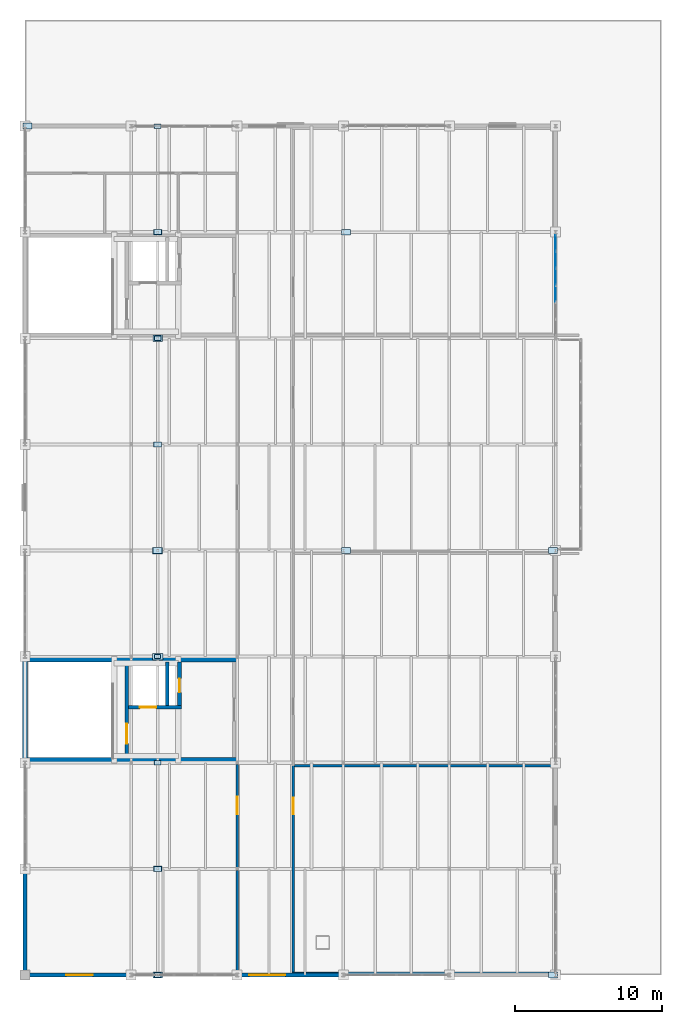
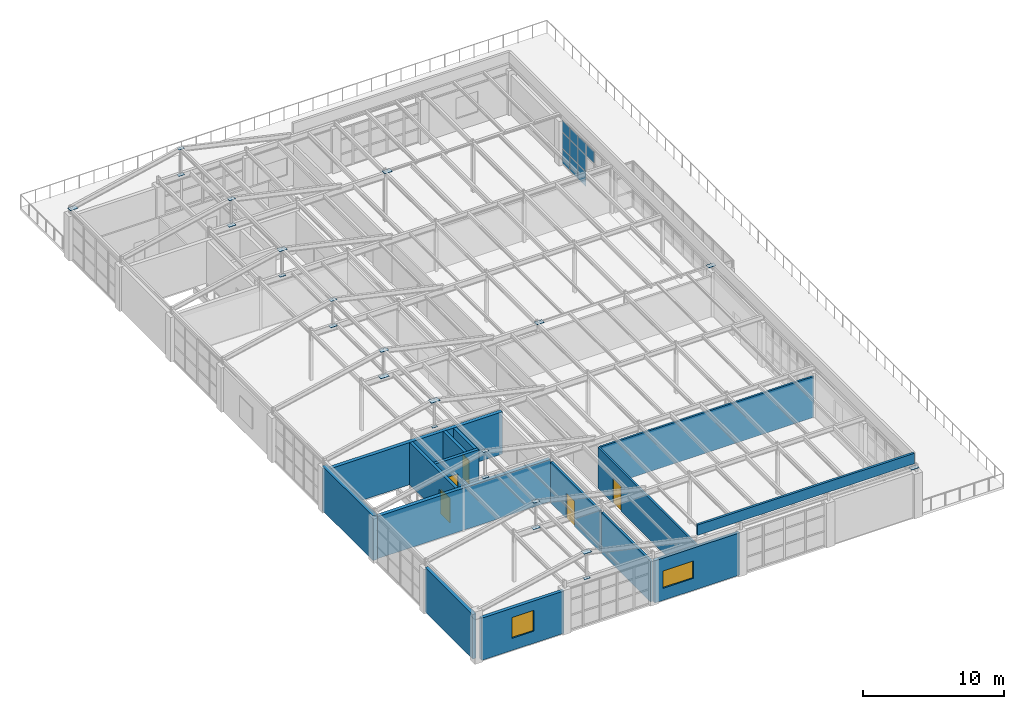
# One storey, part 39 of 43: 33 plates, 15 walls, 5 doors, 2 windows, 7 openings, 1 element without a shape of its own.
"""IFC4 building model written with IfcOpenShell, lengths in metres."""

from ifc_helpers import new_model, si_unit, direction, frame, frame_2d, origin, origin_2d, place, context, subcontext, project, spatial, rectangle, extrude, material, layer, layer_set, type_object, element, fill, aggregate, save


model = new_model("IFC4")

# Units and contexts
model_context = context("Model", 3, precision=1e-05, world=origin(), true_north=direction((0.0, 1.0)))
body_context = subcontext(model_context, "Body", "Model", "MODEL_VIEW")
ifc_project = project(units=[si_unit("LENGTHUNIT", "METRE"), si_unit("AREAUNIT", "SQUARE_METRE"), si_unit("VOLUMEUNIT", "CUBIC_METRE"), si_unit("PLANEANGLEUNIT", "RADIAN"), si_unit("MASSUNIT", "GRAM", prefix="KILO")], contexts=[model_context])

# Site, building, storey
site_placement = place(None, origin())
site = spatial("IfcSite", under=ifc_project, at=site_placement, CompositionType="ELEMENT")
building_placement = place(site_placement, origin())
building = spatial("IfcBuilding", under=site, at=building_placement, Name="Kemerveld Promenade Tramway Depot", CompositionType="ELEMENT")
storey_placement = place(building_placement, frame((0.0, 0.0, 18.89990234375)))
storey = spatial("IfcBuildingStorey", under=building, at=storey_placement, Name="L04", CompositionType="ELEMENT", Elevation=18.89990234375)

# Curtain wall, plates
ifc_material_1 = material(Name="Bronze anodised aluminium and solar glass", Category="aluminium")
ifc_layer_1 = layer(ifc_material_1, 0.199951171875)
ifc_layer_set_1 = layer_set([ifc_layer_1], Name="CW-SYS-06")
curtain_wall_type = type_object("IfcCurtainWallType", Name="CW-SYS-06", PredefinedType="USERDEFINED", material=ifc_layer_set_1)
curtain_wall_placement = place(storey_placement, origin())
curtain_wall = element("IfcCurtainWall", 1, at=curtain_wall_placement, inside=storey, type_object=curtain_wall_type, Name="CW-L04-V5EN-02", ObjectType="GLAZED_CURTAIN_WALL", PredefinedType="USERDEFINED")
ifc_material_2 = material(Name="Solar-control laminated double glazing", Category="glass")
ifc_layer_2 = layer(ifc_material_2, 0.02587890625)
ifc_layer_set_2 = layer_set([ifc_layer_2], Name="CW-PNL-06")
plate_type_1 = type_object("IfcPlateType", Name="CW-PNL-06", PredefinedType="CURTAIN_PANEL", material=ifc_layer_set_2)
plate_1_placement = place(storey_placement, frame((36.0, 49.67724609375, 0.065185546875), z_axis=(0.0, 0.0, 1.0), x_axis=(0.0, -1.0, 0.0)))
plate_1 = element("IfcPlate", 2, at=plate_1_placement, type_object=plate_type_1, Name="CW06 panel 1.1", PredefinedType="CURTAIN_PANEL", context=body_context, shape_type="SweptSolid", body=[
    extrude(rectangle(XDim=1.0458984375, YDim=0.02587890625, at=origin_2d()), origin(), (0.0, 0.0, 1.0), 1.24951171875),
])
plate_2_placement = place(storey_placement, frame((36.0, 49.67724609375, 1.37939453125), z_axis=(0.0, 0.0, 1.0), x_axis=(0.0, -1.0, 0.0)))
plate_2 = element("IfcPlate", 3, at=plate_2_placement, type_object=plate_type_1, Name="CW06 panel 1.2", PredefinedType="CURTAIN_PANEL", context=body_context, shape_type="SweptSolid", body=[
    extrude(rectangle(XDim=1.0458984375, YDim=0.02587890625, at=origin_2d()), origin(), (0.0, 0.0, 1.0), 1.360107421875),
])
plate_3_placement = place(storey_placement, frame((36.0, 49.67724609375, 2.8046875), z_axis=(0.0, 0.0, 1.0), x_axis=(0.0, -1.0, 0.0)))
plate_3 = element("IfcPlate", 4, at=plate_3_placement, type_object=plate_type_1, Name="CW06 panel 1.3", PredefinedType="CURTAIN_PANEL", context=body_context, shape_type="SweptSolid", body=[
    extrude(rectangle(XDim=1.0458984375, YDim=0.02587890625, at=origin_2d()), origin(), (0.0, 0.0, 1.0), 0.98046875),
])
plate_4_placement = place(storey_placement, frame((36.0, 48.53759765625, 0.065185546875), z_axis=(0.0, 0.0, 1.0), x_axis=(0.0, -1.0, 0.0)))
plate_4 = element("IfcPlate", 5, at=plate_4_placement, type_object=plate_type_1, Name="CW06 panel 2.1", PredefinedType="CURTAIN_PANEL", context=body_context, shape_type="SweptSolid", body=[
    extrude(rectangle(XDim=1.08349609375, YDim=0.02587890625, at=origin_2d()), origin(), (0.0, 0.0, 1.0), 1.24951171875),
])
plate_5_placement = place(storey_placement, frame((36.0, 48.53759765625, 1.37939453125), z_axis=(0.0, 0.0, 1.0), x_axis=(0.0, -1.0, 0.0)))
plate_5 = element("IfcPlate", 6, at=plate_5_placement, type_object=plate_type_1, Name="CW06 panel 2.2", PredefinedType="CURTAIN_PANEL", context=body_context, shape_type="SweptSolid", body=[
    extrude(rectangle(XDim=1.08349609375, YDim=0.02587890625, at=origin_2d()), origin(), (0.0, 0.0, 1.0), 1.360107421875),
])
plate_6_placement = place(storey_placement, frame((36.0, 48.53759765625, 2.8046875), z_axis=(0.0, 0.0, 1.0), x_axis=(0.0, -1.0, 0.0)))
plate_6 = element("IfcPlate", 7, at=plate_6_placement, type_object=plate_type_1, Name="CW06 panel 2.3", PredefinedType="CURTAIN_PANEL", context=body_context, shape_type="SweptSolid", body=[
    extrude(rectangle(XDim=1.08349609375, YDim=0.02587890625, at=origin_2d()), origin(), (0.0, 0.0, 1.0), 0.98046875),
])
plate_7_placement = place(storey_placement, frame((36.0, 47.379150390625, 0.065185546875), z_axis=(0.0, 0.0, 1.0), x_axis=(0.0, -1.0, 0.0)))
plate_7 = element("IfcPlate", 8, at=plate_7_placement, type_object=plate_type_1, Name="CW06 panel 3.1", PredefinedType="CURTAIN_PANEL", context=body_context, shape_type="SweptSolid", body=[
    extrude(rectangle(XDim=1.08349609375, YDim=0.02587890625, at=origin_2d()), origin(), (0.0, 0.0, 1.0), 1.24951171875),
])
plate_8_placement = place(storey_placement, frame((36.0, 47.379150390625, 1.37939453125), z_axis=(0.0, 0.0, 1.0), x_axis=(0.0, -1.0, 0.0)))
plate_8 = element("IfcPlate", 9, at=plate_8_placement, type_object=plate_type_1, Name="CW06 panel 3.2", PredefinedType="CURTAIN_PANEL", context=body_context, shape_type="SweptSolid", body=[
    extrude(rectangle(XDim=1.08349609375, YDim=0.02587890625, at=origin_2d()), origin(), (0.0, 0.0, 1.0), 1.360107421875),
])
plate_9_placement = place(storey_placement, frame((36.0, 47.379150390625, 2.8046875), z_axis=(0.0, 0.0, 1.0), x_axis=(0.0, -1.0, 0.0)))
plate_9 = element("IfcPlate", 10, at=plate_9_placement, type_object=plate_type_1, Name="CW06 panel 3.3", PredefinedType="CURTAIN_PANEL", context=body_context, shape_type="SweptSolid", body=[
    extrude(rectangle(XDim=1.08349609375, YDim=0.02587890625, at=origin_2d()), origin(), (0.0, 0.0, 1.0), 0.98046875),
])
plate_10_placement = place(storey_placement, frame((36.0, 46.220703125, 2.8046875), z_axis=(0.0, 0.0, 1.0), x_axis=(0.0, -1.0, 0.0)))
plate_10 = element("IfcPlate", 11, at=plate_10_placement, type_object=plate_type_1, Name="CW06 panel 4.3", PredefinedType="CURTAIN_PANEL", context=body_context, shape_type="SweptSolid", body=[
    extrude(rectangle(XDim=1.08349609375, YDim=0.02587890625, at=origin_2d()), origin(), (0.0, 0.0, 1.0), 0.98046875),
])
aggregate(curtain_wall, [plate_1, plate_2, plate_3, plate_4, plate_5, plate_6, plate_7, plate_8, plate_9, plate_10])

# Plates
ifc_material_3 = material(Name="Steel S355", Category="steel")
ifc_layer_3 = layer(ifc_material_3, 0.02490234375)
ifc_layer_set_3 = layer_set([ifc_layer_3], Name="PL-GS01")
plate_type_2 = type_object("IfcPlateType", Name="PL-GS01", PredefinedType="USERDEFINED", material=ifc_layer_set_3)
for number, where, z_axis, x_axis, name in (
    (12, (9.0, 0.0, 6.302978515625), (0.0, 0.0, 1.0), (1.0, 0.0, 0.0), "GP-NODE-0040"),
    (13, (9.0, 43.199951171875, 6.302978515625), (0.0, 0.0, 1.0), (1.0, 0.0, 0.0), "GP-NODE-0052"),
):
    element("IfcPlate", number, at=place(storey_placement, frame(where, z_axis=z_axis, x_axis=x_axis)), inside=storey, type_object=plate_type_2, Name=name, ObjectType="GUSSET_PLATE", PredefinedType="USERDEFINED", context=body_context, shape_type="SweptSolid", body=[
        extrude(rectangle(XDim=0.64990234375, YDim=0.419921875, at=origin_2d()), origin(), (0.0, 0.0, 1.0), 0.02490234375),
    ])
ifc_layer_4 = layer(ifc_material_3, 0.02490234375)
ifc_layer_set_4 = layer_set([ifc_layer_4], Name="PL-GS02")
plate_type_3 = type_object("IfcPlateType", Name="PL-GS02", PredefinedType="USERDEFINED", material=ifc_layer_set_4)
for number, where, z_axis, x_axis, name in (
    (14, (9.0, 7.199951171875, 4.03759765625), (0.0, 0.0, 1.0), (1.0, 0.0, 0.0), "GP-NODE-0041"),
    (15, (9.0, 50.39990234375, 4.03759765625), (0.0, 0.0, 1.0), (1.0, 0.0, 0.0), "GP-NODE-0053"),
):
    element("IfcPlate", number, at=place(storey_placement, frame(where, z_axis=z_axis, x_axis=x_axis)), inside=storey, type_object=plate_type_3, Name=name, ObjectType="GUSSET_PLATE", PredefinedType="USERDEFINED", context=body_context, shape_type="SweptSolid", body=[
        extrude(rectangle(XDim=0.580078125, YDim=0.3798828125, at=origin_2d()), origin(), (0.0, 0.0, 1.0), 0.02490234375),
    ])
ifc_layer_5 = layer(ifc_material_3, 0.02001953125)
ifc_layer_set_5 = layer_set([ifc_layer_5], Name="PL-GS03")
plate_type_4 = type_object("IfcPlateType", Name="PL-GS03", PredefinedType="USERDEFINED", material=ifc_layer_set_5)
for number, where, z_axis, x_axis, name in (
    (16, (9.0, 7.199951171875, 6.305419921875), (0.0, 0.0, 1.0), (1.0, 0.0, 0.0), "GP-NODE-0042"),
    (17, (9.0, 50.39990234375, 6.305419921875), (0.0, 0.0, 1.0), (1.0, 0.0, 0.0), "GP-NODE-0054"),
):
    element("IfcPlate", number, at=place(storey_placement, frame(where, z_axis=z_axis, x_axis=x_axis)), inside=storey, type_object=plate_type_4, Name=name, ObjectType="GUSSET_PLATE", PredefinedType="USERDEFINED", context=body_context, shape_type="SweptSolid", body=[
        extrude(rectangle(XDim=0.52001953125, YDim=0.340087890625, at=origin_2d()), origin(), (0.0, 0.0, 1.0), 0.02001953125),
    ])
ifc_layer_6 = layer(ifc_material_3, 0.02001953125)
ifc_layer_set_6 = layer_set([ifc_layer_6], Name="PL-GS04")
plate_type_5 = type_object("IfcPlateType", Name="PL-GS04", PredefinedType="USERDEFINED", material=ifc_layer_set_6)
for number, where, z_axis, x_axis, name in (
    (18, (9.0, 14.39990234375, 4.0400390625), (0.0, 0.0, 1.0), (1.0, 0.0, 0.0), "GP-NODE-0043"),
    (19, (9.0, 57.60009765625, 4.0400390625), (0.0, 0.0, 1.0), (1.0, 0.0, 0.0), "GP-NODE-0055"),
):
    element("IfcPlate", number, at=place(storey_placement, frame(where, z_axis=z_axis, x_axis=x_axis)), inside=storey, type_object=plate_type_5, Name=name, ObjectType="GUSSET_PLATE", PredefinedType="USERDEFINED", context=body_context, shape_type="SweptSolid", body=[
        extrude(rectangle(XDim=0.47998046875, YDim=0.320068359375, at=origin_2d()), origin(), (0.0, 0.0, 1.0), 0.02001953125),
    ])
ifc_layer_7 = layer(ifc_material_3, 0.02001953125)
ifc_layer_set_7 = layer_set([ifc_layer_7], Name="PL-GS05")
plate_type_6 = type_object("IfcPlateType", Name="PL-GS05", PredefinedType="USERDEFINED", material=ifc_layer_set_7)
for number, where, z_axis, x_axis, name in (
    (20, (9.0, 14.39990234375, 6.305419921875), (0.0, 0.0, 1.0), (1.0, 0.0, 0.0), "GP-NODE-0044"),
    (21, (9.0, 57.60009765625, 6.305419921875), (0.0, 0.0, 1.0), (1.0, 0.0, 0.0), "GP-NODE-0056"),
):
    element("IfcPlate", number, at=place(storey_placement, frame(where, z_axis=z_axis, x_axis=x_axis)), inside=storey, type_object=plate_type_6, Name=name, ObjectType="GUSSET_PLATE", PredefinedType="USERDEFINED", context=body_context, shape_type="SweptSolid", body=[
        extrude(rectangle(XDim=0.43994140625, YDim=0.300048828125, at=origin_2d()), origin(), (0.0, 0.0, 1.0), 0.02001953125),
    ])
ifc_layer_8 = layer(ifc_material_3, 0.01806640625)
ifc_layer_set_8 = layer_set([ifc_layer_8], Name="PL-GS06")
plate_type_7 = type_object("IfcPlateType", Name="PL-GS06", PredefinedType="USERDEFINED", material=ifc_layer_set_8)
plate_11_placement = place(storey_placement, frame((9.0, 21.60009765625, 4.041015625), z_axis=(0.0, 0.0, 1.0), x_axis=(1.0, 0.0, 0.0)))
element("IfcPlate", 22, at=plate_11_placement, inside=storey, type_object=plate_type_7, Name="GP-NODE-0045", ObjectType="GUSSET_PLATE", PredefinedType="USERDEFINED", context=body_context, shape_type="SweptSolid", body=[
    extrude(rectangle(XDim=0.39990234375, YDim=0.280029296875, at=origin_2d()), origin(), (0.0, 0.0, 1.0), 0.01806640625),
])
ifc_layer_9 = layer(ifc_material_3, 0.028076171875)
ifc_layer_set_9 = layer_set([ifc_layer_9], Name="PL-GS07")
plate_type_8 = type_object("IfcPlateType", Name="PL-GS07", PredefinedType="USERDEFINED", material=ifc_layer_set_9)
plate_12_placement = place(storey_placement, frame((9.0, 21.60009765625, 6.30126953125), z_axis=(0.0, 0.0, 1.0), x_axis=(1.0, 0.0, 0.0)))
element("IfcPlate", 23, at=plate_12_placement, inside=storey, type_object=plate_type_8, Name="GP-NODE-0046", ObjectType="GUSSET_PLATE", PredefinedType="USERDEFINED", context=body_context, shape_type="SweptSolid", body=[
    extrude(rectangle(XDim=0.719970703125, YDim=0.4599609375, at=origin_2d()), origin(), (0.0, 0.0, 1.0), 0.028076171875),
])
ifc_layer_10 = layer(ifc_material_3, 0.02587890625)
ifc_layer_set_10 = layer_set([ifc_layer_10], Name="PL-GS08")
plate_type_9 = type_object("IfcPlateType", Name="PL-GS08", PredefinedType="USERDEFINED", material=ifc_layer_set_10)
plate_13_placement = place(storey_placement, frame((9.0, 28.800048828125, 4.037109375), z_axis=(0.0, 0.0, 1.0), x_axis=(1.0, 0.0, 0.0)))
element("IfcPlate", 24, at=plate_13_placement, inside=storey, type_object=plate_type_9, Name="GP-NODE-0047", ObjectType="GUSSET_PLATE", PredefinedType="USERDEFINED", context=body_context, shape_type="SweptSolid", body=[
    extrude(rectangle(XDim=0.679931640625, YDim=0.43994140625, at=origin_2d()), origin(), (0.0, 0.0, 1.0), 0.02587890625),
])
ifc_layer_11 = layer(ifc_material_3, 0.02392578125)
ifc_layer_set_11 = layer_set([ifc_layer_11], Name="PL-GS09")
plate_type_10 = type_object("IfcPlateType", Name="PL-GS09", PredefinedType="USERDEFINED", material=ifc_layer_set_11)
for number, where, z_axis, x_axis, name in (
    (25, (9.0, 28.800048828125, 6.303466796875), (0.0, 0.0, 1.0), (1.0, 0.0, 0.0), "GP-NODE-0048"),
    (26, (35.830078125, 0.0, 4.18310546875), (0.0, 0.0, 1.0), (1.0, 0.0, 0.0), "CAP-L04-A"),
    (27, (35.830078125, 28.800048828125, 4.233154296875), (0.0, 0.0, 1.0), (1.0, 0.0, 0.0), "CAP-L04-E"),
    (28, (0.169921875, 57.60009765625, 4.208251953125), (0.0, 0.0, 1.0), (1.0, 0.0, 0.0), "CAP-L04-J"),
    (29, (21.77001953125, 28.800048828125, 4.233154296875), (0.0, 0.0, 1.0), (1.0, 0.0, 0.0), "CAP-L04-4E"),
    (30, (21.77001953125, 50.39990234375, 4.208251953125), (0.0, 0.0, 1.0), (1.0, 0.0, 0.0), "CAP-L04-4H"),
):
    element("IfcPlate", number, at=place(storey_placement, frame(where, z_axis=z_axis, x_axis=x_axis)), inside=storey, type_object=plate_type_10, Name=name, ObjectType="GUSSET_PLATE", PredefinedType="USERDEFINED", context=body_context, shape_type="SweptSolid", body=[
        extrude(rectangle(XDim=0.6201171875, YDim=0.39990234375, at=origin_2d()), origin(), (0.0, 0.0, 1.0), 0.02392578125),
    ])
ifc_layer_12 = layer(ifc_material_3, 0.02197265625)
ifc_layer_set_12 = layer_set([ifc_layer_12], Name="PL-GS10")
plate_type_11 = type_object("IfcPlateType", Name="PL-GS10", PredefinedType="USERDEFINED", material=ifc_layer_set_12)
plate_14_placement = place(storey_placement, frame((9.0, 36.0, 4.0390625), z_axis=(0.0, 0.0, 1.0), x_axis=(1.0, 0.0, 0.0)))
element("IfcPlate", 31, at=plate_14_placement, inside=storey, type_object=plate_type_11, Name="GP-NODE-0049", ObjectType="GUSSET_PLATE", PredefinedType="USERDEFINED", context=body_context, shape_type="SweptSolid", body=[
    extrude(rectangle(XDim=0.550048828125, YDim=0.360107421875, at=origin_2d()), origin(), (0.0, 0.0, 1.0), 0.02197265625),
])
ifc_layer_13 = layer(ifc_material_3, 0.02001953125)
ifc_layer_set_13 = layer_set([ifc_layer_13], Name="PL-GS11")
plate_type_12 = type_object("IfcPlateType", Name="PL-GS11", PredefinedType="USERDEFINED", material=ifc_layer_set_13)
plate_15_placement = place(storey_placement, frame((9.0, 36.0, 6.305419921875), z_axis=(0.0, 0.0, 1.0), x_axis=(1.0, 0.0, 0.0)))
element("IfcPlate", 32, at=plate_15_placement, inside=storey, type_object=plate_type_12, Name="GP-NODE-0050", ObjectType="GUSSET_PLATE", PredefinedType="USERDEFINED", context=body_context, shape_type="SweptSolid", body=[
    extrude(rectangle(XDim=0.5, YDim=0.330078125, at=origin_2d()), origin(), (0.0, 0.0, 1.0), 0.02001953125),
])
ifc_layer_14 = layer(ifc_material_3, 0.01806640625)
ifc_layer_set_14 = layer_set([ifc_layer_14], Name="PL-GS12")
plate_type_13 = type_object("IfcPlateType", Name="PL-GS12", PredefinedType="USERDEFINED", material=ifc_layer_set_14)
for number, where, z_axis, x_axis, name in (
    (33, (9.0, 0.0, 4.041015625), (0.0, 0.0, 1.0), (1.0, 0.0, 0.0), "GP-NODE-0039"),
    (34, (9.0, 43.199951171875, 4.041015625), (0.0, 0.0, 1.0), (1.0, 0.0, 0.0), "GP-NODE-0051"),
):
    element("IfcPlate", number, at=place(storey_placement, frame(where, z_axis=z_axis, x_axis=x_axis)), inside=storey, type_object=plate_type_13, Name=name, ObjectType="GUSSET_PLATE", PredefinedType="USERDEFINED", context=body_context, shape_type="SweptSolid", body=[
        extrude(rectangle(XDim=0.4599609375, YDim=0.31005859375, at=origin_2d()), origin(), (0.0, 0.0, 1.0), 0.01806640625),
    ])

# Wall, opening, door
ifc_material_4 = material(Name="Concrete C40/50", Category="concrete")
ifc_layer_15 = layer(ifc_material_4, 0.25)
ifc_layer_set_15 = layer_set([ifc_layer_15], Name="WL-CORE-250")
wall_type_1 = type_object("IfcWallType", Name="WL-CORE-250", PredefinedType="SHEAR", material=ifc_layer_set_15)
wall_1_placement = place(storey_placement, frame((6.89990234375, 14.75, 0.0), z_axis=(0.0, 0.0, 1.0), x_axis=(0.0, 1.0, 0.0)))
wall_1 = element("IfcWall", 35, at=wall_1_placement, inside=storey, type_object=wall_type_1, Name="WL-C1-L04-SDIV", PredefinedType="SHEAR", context=body_context, shape_type="SweptSolid", body=[
    extrude(rectangle(XDim=6.5, YDim=0.25, at=frame_2d((3.25, 0.0))), origin(), (0.0, 0.0, 1.0), 3.650146484375),
])
opening_1_placement = place(wall_1_placement, frame((0.949951171875, 0.0, 0.0)))
opening_1 = element("IfcOpeningElement", 36, at=opening_1_placement, cuts=wall_1, Name="Opening D-517", PredefinedType="OPENING", context=body_context, shape_type="SweptSolid", body=[
    extrude(rectangle(XDim=1.35009765625, YDim=2.14990234375, at=frame_2d((0.675048828125, 1.074951171875))), frame((0.0, 0.135009765625, 0.0), z_axis=(0.0, -1.0, 0.0), x_axis=(1.0, 0.0, 0.0)), (0.0, 0.0, 1.0), 0.27001953125),
])
ifc_material_5 = material(Name="Galvanised steel fire stair door", Category="steel")
door_type_1 = type_object("IfcDoorType", Name="DR-FD120", OperationType="NOTDEFINED", PredefinedType="DOOR", material=ifc_material_5)
door_1_placement = place(opening_1_placement, origin())
door_1 = element("IfcDoor", 37, at=door_1_placement, inside=storey, type_object=door_type_1, Name="DR-C1-L04-STAIR", OperationType="SINGLE_SWING_RIGHT", OverallHeight=2.14990234375, OverallWidth=1.35009765625, PredefinedType="DOOR", context=body_context, shape_type="SweptSolid", body=[
    extrude(rectangle(XDim=1.35009765625, YDim=2.14990234375, at=frame_2d((0.675048828125, 1.074951171875))), frame((0.0, 0.02490234375, 0.0), z_axis=(0.0, -1.0, 0.0), x_axis=(1.0, 0.0, 0.0)), (0.0, 0.0, 1.0), 0.050048828125),
])
fill(opening_1, door_1)

wall_2_placement = place(storey_placement, frame((7.02490234375, 18.159912109375, 0.0), z_axis=(0.0, 0.0, 1.0), x_axis=(1.0, 0.0, 0.0)))
wall_2 = element("IfcWall", 38, at=wall_2_placement, inside=storey, type_object=wall_type_1, Name="WL-C1-L04-LSHS", PredefinedType="SHEAR", context=body_context, shape_type="SweptSolid", body=[
    extrude(rectangle(XDim=3.580078125, YDim=0.25, at=frame_2d((1.7900390625, 0.0))), origin(), (0.0, 0.0, 1.0), 3.650146484375),
])
opening_2_placement = place(wall_2_placement, frame((0.77490234375, 0.0, 0.0)))
opening_2 = element("IfcOpeningElement", 39, at=opening_2_placement, cuts=wall_2, Name="Opening LD-518", PredefinedType="OPENING", context=body_context, shape_type="SweptSolid", body=[
    extrude(rectangle(XDim=1.10009765625, YDim=2.14990234375, at=frame_2d((0.550048828125, 1.074951171875))), frame((0.0, 0.135009765625, 0.0), z_axis=(0.0, -1.0, 0.0), x_axis=(1.0, 0.0, 0.0)), (0.0, 0.0, 1.0), 0.27001953125),
])
ifc_material_6 = material(Name="Brushed stainless steel sliding lift landing door", Category="steel")
door_type_2 = type_object("IfcDoorType", Name="DR-LD01", OperationType="SLIDING_TO_LEFT", PredefinedType="DOOR", material=ifc_material_6)
door_2_placement = place(opening_2_placement, origin())
door_2 = element("IfcDoor", 40, at=door_2_placement, inside=storey, type_object=door_type_2, Name="DR-C1-L04-LIFT", OperationType="SLIDING_TO_LEFT", OverallHeight=2.14990234375, OverallWidth=1.10009765625, PredefinedType="DOOR", context=body_context, shape_type="SweptSolid", body=[
    extrude(rectangle(XDim=1.10009765625, YDim=2.14990234375, at=frame_2d((0.550048828125, 1.074951171875))), frame((0.0, 0.02490234375, 0.0), z_axis=(0.0, -1.0, 0.0), x_axis=(1.0, 0.0, 0.0)), (0.0, 0.0, 1.0), 0.050048828125),
])
fill(opening_2, door_2)

# Wall
wall_3_placement = place(storey_placement, frame((9.64990234375, 18.284912109375, 0.0), z_axis=(0.0, 0.0, 1.0), x_axis=(0.0, 1.0, 0.0)))
element("IfcWall", 41, at=wall_3_placement, inside=storey, type_object=wall_type_1, Name="WL-C1-L04-LSHM", PredefinedType="SHEAR", context=body_context, shape_type="SweptSolid", body=[
    extrude(rectangle(XDim=2.965087890625, YDim=0.25, at=frame_2d((1.482421875, 0.0))), origin(), (0.0, 0.0, 1.0), 3.650146484375),
])

# Wall, opening, door
wall_4_placement = place(storey_placement, frame((10.47998046875, 18.284912109375, 0.0), z_axis=(0.0, 0.0, 1.0), x_axis=(0.0, 1.0, 0.0)))
wall_4 = element("IfcWall", 42, at=wall_4_placement, inside=storey, type_object=wall_type_1, Name="WL-C1-L04-LSHE", PredefinedType="SHEAR", context=body_context, shape_type="SweptSolid", body=[
    extrude(rectangle(XDim=2.965087890625, YDim=0.25, at=frame_2d((1.482421875, 0.0))), origin(), (0.0, 0.0, 1.0), 3.650146484375),
])
opening_3_placement = place(wall_4_placement, frame((0.89990234375, 0.0, 0.0)))
opening_3 = element("IfcOpeningElement", 43, at=opening_3_placement, cuts=wall_4, Name="Opening D-519", PredefinedType="OPENING", context=body_context, shape_type="SweptSolid", body=[
    extrude(rectangle(XDim=0.919921875, YDim=2.050048828125, at=frame_2d((0.4599609375, 1.02490234375))), frame((0.0, 0.135009765625, 0.0), z_axis=(0.0, -1.0, 0.0), x_axis=(1.0, 0.0, 0.0)), (0.0, 0.0, 1.0), 0.27001953125),
])
ifc_material_7 = material(Name="Steel riser shaft access fire door", Category="steel")
door_type_3 = type_object("IfcDoorType", Name="DR-RSR01", OperationType="NOTDEFINED", PredefinedType="DOOR", material=ifc_material_7)
door_3_placement = place(opening_3_placement, origin())
door_3 = element("IfcDoor", 44, at=door_3_placement, inside=storey, type_object=door_type_3, Name="DR-C1-L04-RISER", OperationType="SINGLE_SWING_LEFT", OverallHeight=2.050048828125, OverallWidth=0.919921875, PredefinedType="DOOR", context=body_context, shape_type="SweptSolid", body=[
    extrude(rectangle(XDim=0.919921875, YDim=2.050048828125, at=frame_2d((0.4599609375, 1.02490234375))), frame((0.0, 0.02490234375, 0.0), z_axis=(0.0, -1.0, 0.0), x_axis=(1.0, 0.0, 0.0)), (0.0, 0.0, 1.0), 0.050048828125),
])
fill(opening_3, door_3)

# Walls
ifc_layer_16 = layer(ifc_material_4, 0.300048828125)
ifc_layer_set_16 = layer_set([ifc_layer_16], Name="WL-CORE-300")
wall_type_2 = type_object("IfcWallType", Name="WL-CORE-300", PredefinedType="SHEAR", material=ifc_layer_set_16)
for number, where, z_axis, x_axis, name in (
    (45, (0.169921875, 14.60009765625, 0.0), (0.0, 0.0, 1.0), (1.0, 0.0, 0.0), "WL-C1-L04-S"),
    (46, (0.169921875, 21.39990234375, 0.0), (0.0, 0.0, 1.0), (1.0, 0.0, 0.0), "WL-C1-L04-N"),
):
    element("IfcWall", number, at=place(storey_placement, frame(where, z_axis=z_axis, x_axis=x_axis)), inside=storey, type_object=wall_type_2, Name=name, PredefinedType="SHEAR", context=body_context, shape_type="SweptSolid", body=[
        extrude(rectangle(XDim=14.22998046875, YDim=0.300048828125, at=frame_2d((7.114990234375, 0.0))), origin(), (0.0, 0.0, 1.0), 3.650146484375),
    ])
ifc_material_8 = material(Name="Insulated clay brick spandrel wall", Category="masonry")
ifc_layer_17 = layer(ifc_material_8, 0.280029296875)
ifc_layer_set_17 = layer_set([ifc_layer_17], Name="WL-EXT-280")
wall_type_3 = type_object("IfcWallType", Name="WL-EXT-280", PredefinedType="SOLIDWALL", material=ifc_layer_set_17)
wall_5_placement = place(storey_placement, frame((0.0, 0.320068359375, 0.0), z_axis=(0.0, 0.0, 1.0), x_axis=(0.0, 1.0, 0.0)))
element("IfcWall", 47, at=wall_5_placement, inside=storey, type_object=wall_type_3, Name="WL-L04-V5W-01", PredefinedType="SOLIDWALL", context=body_context, shape_type="SweptSolid", body=[
    extrude(rectangle(XDim=6.755126953125, YDim=0.280029296875, at=frame_2d((3.37744140625, 0.0))), origin(), (0.0, 0.0, 1.0), 3.85009765625),
])

# Wall, opening, window
wall_6_placement = place(storey_placement, frame((21.47509765625, 0.0, 0.0), z_axis=(0.0, 0.0, 1.0), x_axis=(-1.0, 0.0, 0.0)))
wall_6 = element("IfcWall", 48, at=wall_6_placement, inside=storey, type_object=wall_type_3, Name="WL-L04-V5S-03", PredefinedType="SOLIDWALL", context=body_context, shape_type="SweptSolid", body=[
    extrude(rectangle(XDim=6.9501953125, YDim=0.280029296875, at=frame_2d((3.47509765625, 0.0))), origin(), (0.0, 0.0, 1.0), 3.658203125),
])
opening_4_placement = place(wall_6_placement, frame((3.802978515625, 0.0, 1.050048828125)))
opening_4 = element("IfcOpeningElement", 49, at=opening_4_placement, cuts=wall_6, Name="Opening W-225", PredefinedType="OPENING", context=body_context, shape_type="SweptSolid", body=[
    extrude(rectangle(XDim=2.469970703125, YDim=1.5, at=frame_2d((1.23486328125, 0.75))), frame((0.0, 0.14990234375, 0.0), z_axis=(0.0, -1.0, 0.0), x_axis=(1.0, 0.0, 0.0)), (0.0, 0.0, 1.0), 0.300048828125),
])
ifc_material_9 = material(Name="Bronze anodised aluminium and low-e glass", Category="aluminium")
window_type_1 = type_object("IfcWindowType", Name="WN-38", PartitioningType="SINGLE_PANEL", PredefinedType="WINDOW", material=ifc_material_9)
window_1_placement = place(opening_4_placement, origin())
window_1 = element("IfcWindow", 50, at=window_1_placement, inside=storey, type_object=window_type_1, Name="WN-L04-V5S-03", OverallHeight=1.5, OverallWidth=2.469970703125, PartitioningType="SINGLE_PANEL", PredefinedType="WINDOW", context=body_context, shape_type="SweptSolid", body=[
    extrude(rectangle(XDim=2.469970703125, YDim=1.5, at=frame_2d((1.23486328125, 0.75))), frame((0.0, 0.030029296875, 0.0), z_axis=(0.0, -1.0, 0.0), x_axis=(1.0, 0.0, 0.0)), (0.0, 0.0, 1.0), 0.06005859375),
])
fill(opening_4, window_1)

wall_7_placement = place(storey_placement, frame((7.0751953125, 0.0, 0.0), z_axis=(0.0, 0.0, 1.0), x_axis=(-1.0, 0.0, 0.0)))
wall_7 = element("IfcWall", 51, at=wall_7_placement, inside=storey, type_object=wall_type_3, Name="WL-L04-V5S-05", PredefinedType="SOLIDWALL", context=body_context, shape_type="SweptSolid", body=[
    extrude(rectangle(XDim=6.755126953125, YDim=0.280029296875, at=frame_2d((3.37744140625, 0.0))), origin(), (0.0, 0.0, 1.0), 3.658203125),
])
opening_5_placement = place(wall_7_placement, frame((2.47802734375, 0.0, 1.050048828125)))
opening_5 = element("IfcOpeningElement", 52, at=opening_5_placement, cuts=wall_7, Name="Opening W-226", PredefinedType="OPENING", context=body_context, shape_type="SweptSolid", body=[
    extrude(rectangle(XDim=1.800048828125, YDim=1.800048828125, at=frame_2d((0.89990234375, 0.89990234375))), frame((0.0, 0.14990234375, 0.0), z_axis=(0.0, -1.0, 0.0), x_axis=(1.0, 0.0, 0.0)), (0.0, 0.0, 1.0), 0.300048828125),
])
window_type_2 = type_object("IfcWindowType", Name="WN-08", PartitioningType="SINGLE_PANEL", PredefinedType="WINDOW", material=ifc_material_9)
window_2_placement = place(opening_5_placement, origin())
window_2 = element("IfcWindow", 53, at=window_2_placement, inside=storey, type_object=window_type_2, Name="WN-L04-V5S-05", OverallHeight=1.800048828125, OverallWidth=1.800048828125, PartitioningType="SINGLE_PANEL", PredefinedType="WINDOW", context=body_context, shape_type="SweptSolid", body=[
    extrude(rectangle(XDim=1.800048828125, YDim=1.800048828125, at=frame_2d((0.89990234375, 0.89990234375))), frame((0.0, 0.030029296875, 0.0), z_axis=(0.0, -1.0, 0.0), x_axis=(1.0, 0.0, 0.0)), (0.0, 0.0, 1.0), 0.06005859375),
])
fill(opening_5, window_2)

# Walls
ifc_layer_18 = layer(ifc_material_4, 0.360107421875)
ifc_layer_set_18 = layer_set([ifc_layer_18], Name="WL-EXT-CORE")
wall_type_4 = type_object("IfcWallType", Name="WL-EXT-CORE", PredefinedType="SHEAR", material=ifc_layer_set_18)
wall_8_placement = place(storey_placement, frame((0.0, 14.39990234375, 0.0), z_axis=(0.0, 0.0, 1.0), x_axis=(0.0, 1.0, 0.0)))
element("IfcWall", 54, at=wall_8_placement, inside=storey, type_object=wall_type_4, Name="WL-L04-V5W-03", PredefinedType="SHEAR", context=body_context, shape_type="SweptSolid", body=[
    extrude(rectangle(XDim=7.2001953125, YDim=0.360107421875, at=frame_2d((3.60009765625, 0.0))), origin(), (0.0, 0.0, 1.0), 3.85009765625),
])
ifc_material_10 = material(Name="Precast concrete C40/50", Category="concrete")
ifc_layer_19 = layer(ifc_material_10, 0.18994140625)
ifc_layer_set_19 = layer_set([ifc_layer_19], Name="WL-PAR-190")
wall_type_5 = type_object("IfcWallType", Name="WL-PAR-190", PredefinedType="PARAPET", material=ifc_layer_set_19)
wall_9_placement = place(storey_placement, frame((35.8798828125, 0.1201171875, 4.5), z_axis=(0.0, 0.0, 1.0), x_axis=(-1.0, 0.0, 0.0)))
element("IfcWall", 55, at=wall_9_placement, inside=storey, type_object=wall_type_5, Name="PAR-V5-S", PredefinedType="PARAPET", context=body_context, shape_type="SweptSolid", body=[
    extrude(rectangle(XDim=17.759765625, YDim=0.18994140625, at=frame_2d((8.8798828125, 0.0))), origin(), (0.0, 0.0, 1.0), 0.900146484375),
])

# Wall, opening, door
ifc_material_11 = material(Name="Acoustic twin-stud gypsum partition")
ifc_layer_20 = layer(ifc_material_11, 0.159912109375)
ifc_layer_set_20 = layer_set([ifc_layer_20], Name="WL-PRT-160")
wall_type_6 = type_object("IfcWallType", Name="WL-PRT-160", PredefinedType="PARTITIONING", material=ifc_layer_set_20)
wall_10_placement = place(storey_placement, frame((18.199951171875, 0.215087890625, 0.0), z_axis=(0.0, 0.0, 1.0), x_axis=(0.0, 1.0, 0.0)))
wall_10 = element("IfcWall", 56, at=wall_10_placement, inside=storey, type_object=wall_type_6, Name="WL-PRT-RM-L04-V5-DIR", PredefinedType="PARTITIONING", context=body_context, shape_type="SweptSolid", body=[
    extrude(rectangle(XDim=13.98486328125, YDim=0.159912109375, at=frame_2d((6.992431640625, 0.0))), origin(), (0.0, 0.0, 1.0), 3.550048828125),
])
opening_6_placement = place(wall_10_placement, frame((10.705078125, 0.0, 0.0)))
opening_6 = element("IfcOpeningElement", 57, at=opening_6_placement, cuts=wall_10, Name="Opening D-683", PredefinedType="OPENING", context=body_context, shape_type="SweptSolid", body=[
    extrude(rectangle(XDim=1.1201171875, YDim=2.179931640625, at=frame_2d((0.56005859375, 1.08984375))), frame((0.0, 0.08984375, 0.0), z_axis=(0.0, -1.0, 0.0), x_axis=(1.0, 0.0, 0.0)), (0.0, 0.0, 1.0), 0.179931640625),
])
ifc_material_12 = material(Name="Glazed archive door")
door_type_4 = type_object("IfcDoorType", Name="DR-INT12", OperationType="NOTDEFINED", PredefinedType="DOOR", material=ifc_material_12)
door_4_placement = place(opening_6_placement, origin())
door_4 = element("IfcDoor", 58, at=door_4_placement, inside=storey, type_object=door_type_4, Name="DR-RM-RM-L04-V5-DIR", OperationType="SINGLE_SWING_RIGHT", OverallHeight=2.179931640625, OverallWidth=1.1201171875, PredefinedType="DOOR", context=body_context, shape_type="SweptSolid", body=[
    extrude(rectangle(XDim=1.1201171875, YDim=2.179931640625, at=frame_2d((0.56005859375, 1.08984375))), frame((0.0, 0.02490234375, 0.0), z_axis=(0.0, -1.0, 0.0), x_axis=(1.0, 0.0, 0.0)), (0.0, 0.0, 1.0), 0.050048828125),
])
fill(opening_6, door_4)

# Walls
wall_11_placement = place(storey_placement, frame((18.280029296875, 14.199951171875, 0.0), z_axis=(0.0, 0.0, 1.0), x_axis=(1.0, 0.0, 0.0)))
element("IfcWall", 59, at=wall_11_placement, inside=storey, type_object=wall_type_6, Name="WL-DIV-L04-003", PredefinedType="PARTITIONING", context=body_context, shape_type="SweptSolid", body=[
    extrude(rectangle(XDim=17.5048828125, YDim=0.159912109375, at=frame_2d((8.75244140625, 0.0))), origin(), (0.0, 0.0, 1.0), 3.550048828125),
])
ifc_material_13 = material(Name="Workshop acoustic block partition")
ifc_layer_21 = layer(ifc_material_13, 0.175048828125)
ifc_layer_set_21 = layer_set([ifc_layer_21], Name="WL-PRT-175")
wall_type_7 = type_object("IfcWallType", Name="WL-PRT-175", PredefinedType="PARTITIONING", material=ifc_layer_set_21)
wall_12_placement = place(storey_placement, frame((14.39990234375, 0.139892578125, 0.0), z_axis=(0.0, 0.0, 1.0), x_axis=(0.0, 1.0, 0.0)))
element("IfcWall", 60, at=wall_12_placement, inside=storey, type_object=wall_type_7, Name="WL-PRT-RM-L04-V5-PLAN-S1", PredefinedType="PARTITIONING", context=body_context, shape_type="SweptSolid", body=[
    extrude(rectangle(XDim=6.953125, YDim=0.175048828125, at=frame_2d((3.4765625, 0.0))), origin(), (0.0, 0.0, 1.0), 3.550048828125),
])

# Wall, opening, door
wall_13_placement = place(storey_placement, frame((14.39990234375, 7.306884765625, 0.0), z_axis=(0.0, 0.0, 1.0), x_axis=(0.0, 1.0, 0.0)))
wall_13 = element("IfcWall", 61, at=wall_13_placement, inside=storey, type_object=wall_type_7, Name="WL-PRT-RM-L04-V5-PLAN", PredefinedType="PARTITIONING", context=body_context, shape_type="SweptSolid", body=[
    extrude(rectangle(XDim=6.986083984375, YDim=0.175048828125, at=frame_2d((3.4931640625, 0.0))), origin(), (0.0, 0.0, 1.0), 3.550048828125),
])
opening_7_placement = place(wall_13_placement, frame((3.613037109375, 0.0, 0.0)))
opening_7 = element("IfcOpeningElement", 62, at=opening_7_placement, cuts=wall_13, Name="Opening D-684", PredefinedType="OPENING", context=body_context, shape_type="SweptSolid", body=[
    extrude(rectangle(XDim=1.179931640625, YDim=2.179931640625, at=frame_2d((0.58984375, 1.08984375))), frame((0.0, 0.097412109375, 0.0), z_axis=(0.0, -1.0, 0.0), x_axis=(1.0, 0.0, 0.0)), (0.0, 0.0, 1.0), 0.195068359375),
])
ifc_material_14 = material(Name="Wide equipment room door")
door_type_5 = type_object("IfcDoorType", Name="DR-INT13", OperationType="NOTDEFINED", PredefinedType="DOOR", material=ifc_material_14)
door_5_placement = place(opening_7_placement, origin())
door_5 = element("IfcDoor", 63, at=door_5_placement, inside=storey, type_object=door_type_5, Name="DR-RM-RM-L04-V5-PLAN", OperationType="SINGLE_SWING_LEFT", OverallHeight=2.179931640625, OverallWidth=1.179931640625, PredefinedType="DOOR", context=body_context, shape_type="SweptSolid", body=[
    extrude(rectangle(XDim=1.179931640625, YDim=2.179931640625, at=frame_2d((0.58984375, 1.08984375))), frame((0.0, 0.02490234375, 0.0), z_axis=(0.0, -1.0, 0.0), x_axis=(1.0, 0.0, 0.0)), (0.0, 0.0, 1.0), 0.050048828125),
])
fill(opening_7, door_5)

save(model, "model.ifc")
